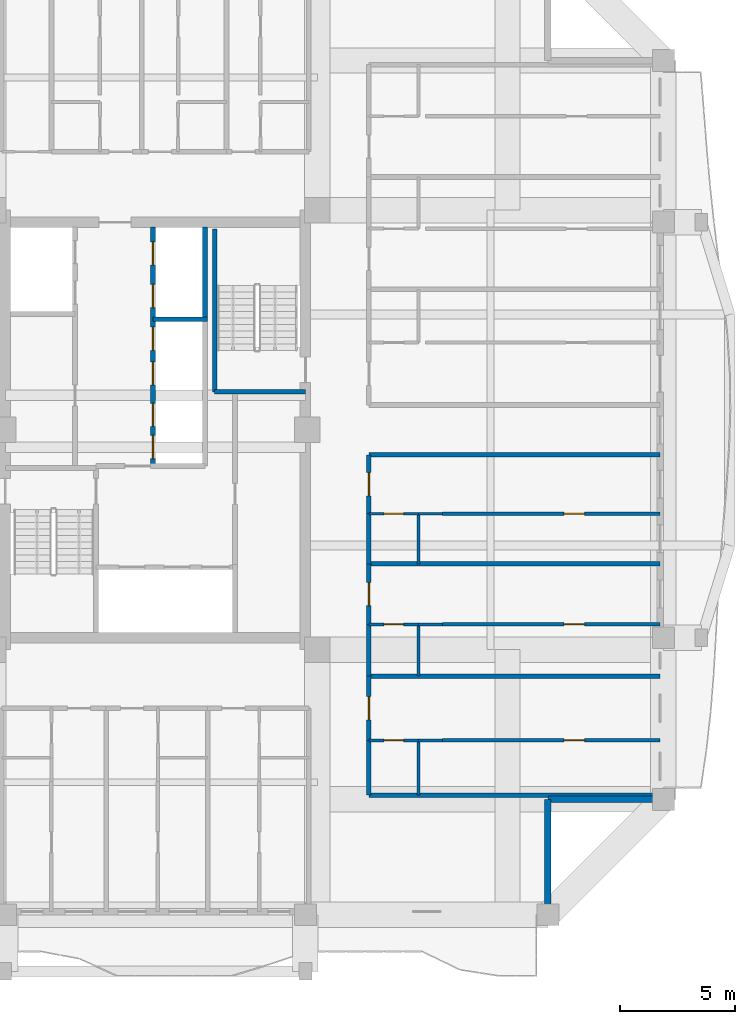
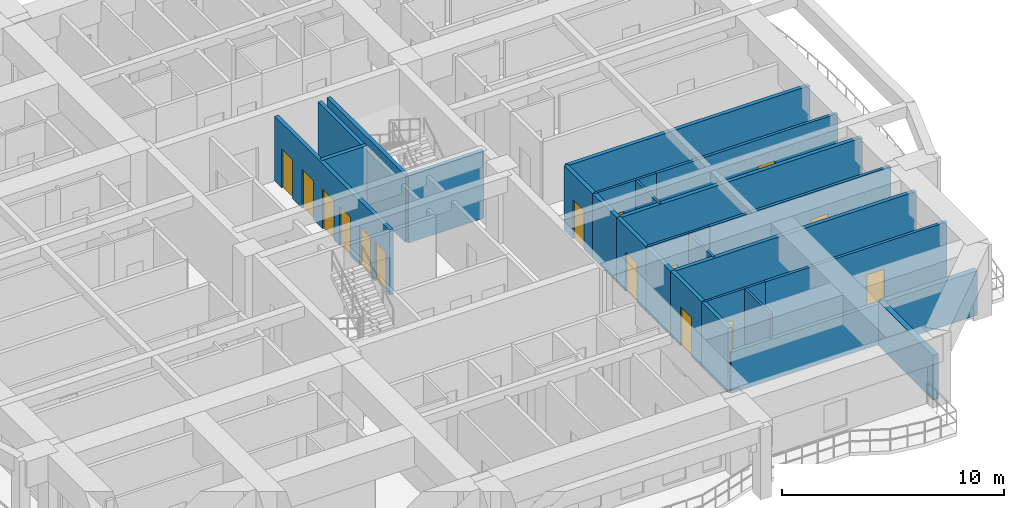
# One storey, part 5 of 15: 29 walls, 15 doors, 15 openings.
"""IFC4 building model written with IfcOpenShell, lengths in metres."""

from ifc_helpers import new_model, si_unit, direction, frame, frame_2d, origin, place, context, subcontext, project, spatial, rectangle, extrude, source, transform, mapped, material, layer, layer_set, type_object, element, fill, save


model = new_model("IFC4")

# Units and contexts
model_context = context("Model", 3, precision=1e-05, world=origin(), true_north=direction((0.0, 1.0)))
body_context = subcontext(model_context, "Body", "Model", "MODEL_VIEW")
ifc_project = project(units=[si_unit("LENGTHUNIT", "METRE"), si_unit("AREAUNIT", "SQUARE_METRE"), si_unit("VOLUMEUNIT", "CUBIC_METRE"), si_unit("PLANEANGLEUNIT", "RADIAN"), si_unit("MASSUNIT", "GRAM", prefix="KILO")], contexts=[model_context])

# Site, building, storey
site_placement = place(None, origin())
site = spatial("IfcSite", under=ifc_project, at=site_placement, CompositionType="ELEMENT")
building_placement = place(site_placement, origin())
building = spatial("IfcBuilding", under=site, at=building_placement, Name="Saelheon Loggia Tower", CompositionType="ELEMENT")
storey_placement = place(building_placement, frame((0.0, 0.0, 169.0)))
storey = spatial("IfcBuildingStorey", under=building, at=storey_placement, Name="L53", CompositionType="ELEMENT", Elevation=169.0)

# Walls
ifc_material_1 = material(Name="Architectural Precast Concrete C40/50", Category="concrete")
ifc_layer_1 = layer(ifc_material_1, 0.280029296875)
ifc_layer_set_1 = layer_set([ifc_layer_1], Name="Architectural Precast Concrete C40/50")
wall_type_1 = type_object("IfcWallType", Name="Wall_Ext_Loggia_280", PredefinedType="SOLIDWALL", material=ifc_layer_set_1)
for number, where, z_axis, x_axis, name in (
    (1, (55.0, 6.080078125, 0.0), (0.0, 0.0, 1.0), (0.0, 1.0, 0.0), "L53 Corner Notch Precast Wall SE1"),
    (2, (55.0, 11.0, 0.0), (0.0, 0.0, 1.0), (1.0, 0.0, 0.0), "L53 Corner Notch Precast Wall SE2"),
):
    element("IfcWall", number, at=place(storey_placement, frame(where, z_axis=z_axis, x_axis=x_axis)), inside=storey, type_object=wall_type_1, Name=name, PredefinedType="SOLIDWALL", context=body_context, shape_type="SweptSolid", body=[
        extrude(rectangle(XDim=4.919921875, YDim=0.280029296875, at=frame_2d((2.4599609375, 0.0))), origin(), (0.0, 0.0, 1.0), 2.43994140625),
    ])

# Wall, opening, door
ifc_material_2 = material(Name="Lightweight Autoclaved Aerated Concrete Block and Acoustic Gypsum", Category="concrete")
ifc_layer_2 = layer(ifc_material_2, 0.14990234375)
ifc_layer_set_2 = layer_set([ifc_layer_2], Name="Lightweight Autoclaved Aerated Concrete Block and Acoustic Gypsum")
wall_type_2 = type_object("IfcWallType", Name="Wall_Part_150", PredefinedType="PARTITIONING", material=ifc_layer_set_2)
wall_1_placement = place(storey_placement, frame((50.429931640625, 13.552978515625, 0.0), z_axis=(0.0, 0.0, 1.0), x_axis=(1.0, 0.0, 0.0)))
wall_1 = element("IfcWall", 3, at=wall_1_placement, inside=storey, type_object=wall_type_2, Name="L53 ES Partition U08", PredefinedType="PARTITIONING", context=body_context, shape_type="SweptSolid", body=[
    extrude(rectangle(XDim=9.420166015625, YDim=0.14990234375, at=frame_2d((4.7099609375, 0.0))), origin(), (0.0, 0.0, 1.0), 3.56005859375),
])
opening_1_placement = place(wall_1_placement, frame((5.264892578125, 0.0, 0.0)))
opening_1 = element("IfcOpeningElement", 4, at=opening_1_placement, cuts=wall_1, Name="Opening D-IN2", PredefinedType="OPENING", context=body_context, shape_type="SweptSolid", body=[
    extrude(rectangle(XDim=0.89990234375, YDim=2.10009765625, at=frame_2d((0.449951171875, 1.050048828125))), frame((0.0, 0.0869140625, 0.0), z_axis=(0.0, -1.0, 0.0), x_axis=(1.0, 0.0, 0.0)), (0.0, 0.0, 1.0), 0.173828125),
])
ifc_material_3 = material(Name="Engineered Oak Flush Door", Category="timber")
door_type_1 = type_object("IfcDoorType", Name="Door_Int_900", OperationType="NOTDEFINED", PredefinedType="DOOR", material=ifc_material_3)
shared_shape_1 = source(origin(), body_context, "Body", "SweptSolid", [
    extrude(rectangle(XDim=0.89990234375, YDim=2.10009765625, at=frame_2d((0.449951171875, 1.050048828125))), frame((0.0, 0.02490234375, 0.0), z_axis=(0.0, -1.0, 0.0), x_axis=(1.0, 0.0, 0.0)), (0.0, 0.0, 1.0), 0.050048828125),
])
door_1_placement = place(opening_1_placement, origin())
door_1 = element("IfcDoor", 5, at=door_1_placement, inside=storey, type_object=door_type_1, Name="Unit U13 Kitchen Door", OperationType="SINGLE_SWING_LEFT", OverallHeight=2.10009765625, OverallWidth=0.89990234375, PredefinedType="DOOR", context=body_context, shape_type="MappedRepresentation", body=[
    mapped(shared_shape_1, transform((0.0, 0.0, 0.0), scale=1.0)),
])
fill(opening_1, door_1)

wall_2_placement = place(storey_placement, frame((50.429931640625, 18.576416015625, 0.0), z_axis=(0.0, 0.0, 1.0), x_axis=(1.0, 0.0, 0.0)))
wall_2 = element("IfcWall", 6, at=wall_2_placement, inside=storey, type_object=wall_type_2, Name="L53 ES Partition U15", PredefinedType="PARTITIONING", context=body_context, shape_type="SweptSolid", body=[
    extrude(rectangle(XDim=9.420166015625, YDim=0.14990234375, at=frame_2d((4.7099609375, 0.0))), origin(), (0.0, 0.0, 1.0), 3.56005859375),
])
opening_2_placement = place(wall_2_placement, frame((5.264892578125, 0.0, 0.0)))
opening_2 = element("IfcOpeningElement", 7, at=opening_2_placement, cuts=wall_2, Name="Opening D-IN2", PredefinedType="OPENING", context=body_context, shape_type="SweptSolid", body=[
    extrude(rectangle(XDim=0.89990234375, YDim=2.10009765625, at=frame_2d((0.449951171875, 1.050048828125))), frame((0.0, 0.0869140625, 0.0), z_axis=(0.0, -1.0, 0.0), x_axis=(1.0, 0.0, 0.0)), (0.0, 0.0, 1.0), 0.173828125),
])
door_2_placement = place(opening_2_placement, origin())
door_2 = element("IfcDoor", 8, at=door_2_placement, inside=storey, type_object=door_type_1, Name="Unit U14 Kitchen Door", OperationType="SINGLE_SWING_RIGHT", OverallHeight=2.10009765625, OverallWidth=0.89990234375, PredefinedType="DOOR", context=body_context, shape_type="MappedRepresentation", body=[
    mapped(shared_shape_1, transform((0.0, 0.0, 0.0), scale=1.0)),
])
fill(opening_2, door_2)

wall_3_placement = place(storey_placement, frame((50.429931640625, 23.372802734375, 0.0), z_axis=(0.0, 0.0, 1.0), x_axis=(1.0, 0.0, 0.0)))
wall_3 = element("IfcWall", 9, at=wall_3_placement, inside=storey, type_object=wall_type_2, Name="L53 ES Partition U22", PredefinedType="PARTITIONING", context=body_context, shape_type="SweptSolid", body=[
    extrude(rectangle(XDim=9.420166015625, YDim=0.14990234375, at=frame_2d((4.7099609375, 0.0))), origin(), (0.0, 0.0, 1.0), 3.56005859375),
])
opening_3_placement = place(wall_3_placement, frame((5.264892578125, 0.0, 0.0)))
opening_3 = element("IfcOpeningElement", 10, at=opening_3_placement, cuts=wall_3, Name="Opening D-IN2", PredefinedType="OPENING", context=body_context, shape_type="SweptSolid", body=[
    extrude(rectangle(XDim=0.89990234375, YDim=2.10009765625, at=frame_2d((0.449951171875, 1.050048828125))), frame((0.0, 0.0869140625, 0.0), z_axis=(0.0, -1.0, 0.0), x_axis=(1.0, 0.0, 0.0)), (0.0, 0.0, 1.0), 0.173828125),
])
door_3_placement = place(opening_3_placement, origin())
door_3 = element("IfcDoor", 11, at=door_3_placement, inside=storey, type_object=door_type_1, Name="Unit U15 Kitchen Door", OperationType="SINGLE_SWING_LEFT", OverallHeight=2.10009765625, OverallWidth=0.89990234375, PredefinedType="DOOR", context=body_context, shape_type="MappedRepresentation", body=[
    mapped(shared_shape_1, transform((0.0, 0.0, 0.0), scale=1.0)),
])
fill(opening_3, door_3)

# Walls
ifc_material_4 = material(Name="Double Acoustic Stud and Fireboard Partition", Category="gypsum")
ifc_layer_3 = layer(ifc_material_4, 0.199951171875)
ifc_layer_set_3 = layer_set([ifc_layer_3], Name="Double Acoustic Stud and Fireboard Partition")
wall_type_3 = type_object("IfcWallType", Name="Wall_Party_200", PredefinedType="PARTITIONING", material=ifc_layer_set_3)
wall_4_placement = place(storey_placement, frame((47.25, 11.179931640625, 0.0), z_axis=(0.0, 0.0, 1.0), x_axis=(1.0, 0.0, 0.0)))
element("IfcWall", 12, at=wall_4_placement, inside=storey, type_object=wall_type_3, Name="L53 ES Partition U01", PredefinedType="PARTITIONING", context=body_context, shape_type="SweptSolid", body=[
    extrude(rectangle(XDim=12.60009765625, YDim=0.199951171875, at=frame_2d((6.300048828125, 0.0))), origin(), (0.0, 0.0, 1.0), 2.239990234375),
])
wall_5_placement = place(storey_placement, frame((47.25, 25.919921875, 0.0), z_axis=(0.0, 0.0, 1.0), x_axis=(1.0, 0.0, 0.0)))
element("IfcWall", 13, at=wall_5_placement, inside=storey, type_object=wall_type_3, Name="L53 ES Partition U02", PredefinedType="PARTITIONING", context=body_context, shape_type="SweptSolid", body=[
    extrude(rectangle(XDim=12.60009765625, YDim=0.199951171875, at=frame_2d((6.300048828125, 0.0))), origin(), (0.0, 0.0, 1.0), 3.56005859375),
])
wall_6_placement = place(storey_placement, frame((47.25, 11.179931640625, 0.0), z_axis=(0.0, 0.0, 1.0), x_axis=(0.0, 1.0, 0.0)))
element("IfcWall", 14, at=wall_6_placement, inside=storey, type_object=wall_type_3, Name="L53 ES Partition V03", PredefinedType="PARTITIONING", context=body_context, shape_type="SweptSolid", body=[
    extrude(rectangle(XDim=2.373046875, YDim=0.199951171875, at=frame_2d((1.1865234375, 0.0))), origin(), (0.0, 0.0, 1.0), 3.56005859375),
])

# Wall, opening, door
wall_7_placement = place(storey_placement, frame((47.25, 13.552978515625, 0.0), z_axis=(0.0, 0.0, 1.0), x_axis=(0.0, 1.0, 0.0)))
wall_7 = element("IfcWall", 15, at=wall_7_placement, inside=storey, type_object=wall_type_3, Name="L53 ES Partition V04", PredefinedType="PARTITIONING", context=body_context, shape_type="SweptSolid", body=[
    extrude(rectangle(XDim=2.7861328125, YDim=0.199951171875, at=frame_2d((1.39306640625, 0.0))), origin(), (0.0, 0.0, 1.0), 3.56005859375),
])
opening_4_placement = place(wall_7_placement, frame((0.892822265625, 0.0, 0.0)))
opening_4 = element("IfcOpeningElement", 16, at=opening_4_placement, cuts=wall_7, Name="Opening D-FD1", PredefinedType="OPENING", context=body_context, shape_type="SweptSolid", body=[
    extrude(rectangle(XDim=1.0, YDim=2.14990234375, at=frame_2d((0.5, 1.074951171875))), frame((0.0, 0.112060546875, 0.0), z_axis=(0.0, -1.0, 0.0), x_axis=(1.0, 0.0, 0.0)), (0.0, 0.0, 1.0), 0.223876953125),
])
ifc_material_5 = material(Name="Fire-Rated Engineered Timber Entrance Door", Category="wood")
door_type_2 = type_object("IfcDoorType", Name="Door_Flat_FD30S", OperationType="NOTDEFINED", PredefinedType="DOOR", material=ifc_material_5)
shared_shape_2 = source(origin(), body_context, "Body", "SweptSolid", [
    extrude(rectangle(XDim=1.0, YDim=2.14990234375, at=frame_2d((0.5, 1.074951171875))), frame((0.0, 0.02490234375, 0.0), z_axis=(0.0, -1.0, 0.0), x_axis=(1.0, 0.0, 0.0)), (0.0, 0.0, 1.0), 0.050048828125),
])
door_4_placement = place(opening_4_placement, origin())
door_4 = element("IfcDoor", 17, at=door_4_placement, inside=storey, type_object=door_type_2, Name="Unit U13 Entrance Door", OperationType="SINGLE_SWING_LEFT", OverallHeight=2.14990234375, OverallWidth=1.0, PredefinedType="DOOR", context=body_context, shape_type="MappedRepresentation", body=[
    mapped(shared_shape_2, transform((0.0, 0.0, 0.0), scale=1.0)),
])
fill(opening_4, door_4)

# Walls
wall_8_placement = place(storey_placement, frame((47.25, 16.339111328125, 0.0), z_axis=(0.0, 0.0, 1.0), x_axis=(1.0, 0.0, 0.0)))
element("IfcWall", 18, at=wall_8_placement, inside=storey, type_object=wall_type_3, Name="L53 ES Partition U09", PredefinedType="PARTITIONING", context=body_context, shape_type="SweptSolid", body=[
    extrude(rectangle(XDim=12.60009765625, YDim=0.199951171875, at=frame_2d((6.300048828125, 0.0))), origin(), (0.0, 0.0, 1.0), 3.56005859375),
])
wall_9_placement = place(storey_placement, frame((47.25, 16.339111328125, 0.0), z_axis=(0.0, 0.0, 1.0), x_axis=(0.0, 1.0, 0.0)))
element("IfcWall", 19, at=wall_9_placement, inside=storey, type_object=wall_type_3, Name="L53 ES Partition V10", PredefinedType="PARTITIONING", context=body_context, shape_type="SweptSolid", body=[
    extrude(rectangle(XDim=2.2373046875, YDim=0.199951171875, at=frame_2d((1.11865234375, 0.0))), origin(), (0.0, 0.0, 1.0), 3.56005859375),
])

# Wall, opening, door
wall_10_placement = place(storey_placement, frame((47.25, 18.576416015625, 0.0), z_axis=(0.0, 0.0, 1.0), x_axis=(0.0, 1.0, 0.0)))
wall_10 = element("IfcWall", 20, at=wall_10_placement, inside=storey, type_object=wall_type_3, Name="L53 ES Partition V11", PredefinedType="PARTITIONING", context=body_context, shape_type="SweptSolid", body=[
    extrude(rectangle(XDim=2.626708984375, YDim=0.199951171875, at=frame_2d((1.3134765625, 0.0))), origin(), (0.0, 0.0, 1.0), 3.56005859375),
])
opening_5_placement = place(wall_10_placement, frame((0.813232421875, 0.0, 0.0)))
opening_5 = element("IfcOpeningElement", 21, at=opening_5_placement, cuts=wall_10, Name="Opening D-FD1", PredefinedType="OPENING", context=body_context, shape_type="SweptSolid", body=[
    extrude(rectangle(XDim=1.0, YDim=2.14990234375, at=frame_2d((0.5, 1.074951171875))), frame((0.0, 0.112060546875, 0.0), z_axis=(0.0, -1.0, 0.0), x_axis=(1.0, 0.0, 0.0)), (0.0, 0.0, 1.0), 0.223876953125),
])
door_5_placement = place(opening_5_placement, origin())
door_5 = element("IfcDoor", 22, at=door_5_placement, inside=storey, type_object=door_type_2, Name="Unit U14 Entrance Door", OperationType="SINGLE_SWING_RIGHT", OverallHeight=2.14990234375, OverallWidth=1.0, PredefinedType="DOOR", context=body_context, shape_type="MappedRepresentation", body=[
    mapped(shared_shape_2, transform((0.0, 0.0, 0.0), scale=1.0)),
])
fill(opening_5, door_5)

# Walls
wall_11_placement = place(storey_placement, frame((47.25, 21.203125, 0.0), z_axis=(0.0, 0.0, 1.0), x_axis=(1.0, 0.0, 0.0)))
element("IfcWall", 23, at=wall_11_placement, inside=storey, type_object=wall_type_3, Name="L53 ES Partition U16", PredefinedType="PARTITIONING", context=body_context, shape_type="SweptSolid", body=[
    extrude(rectangle(XDim=12.60009765625, YDim=0.199951171875, at=frame_2d((6.300048828125, 0.0))), origin(), (0.0, 0.0, 1.0), 3.56005859375),
])
wall_12_placement = place(storey_placement, frame((47.25, 21.203125, 0.0), z_axis=(0.0, 0.0, 1.0), x_axis=(0.0, 1.0, 0.0)))
element("IfcWall", 24, at=wall_12_placement, inside=storey, type_object=wall_type_3, Name="L53 ES Partition V17", PredefinedType="PARTITIONING", context=body_context, shape_type="SweptSolid", body=[
    extrude(rectangle(XDim=2.169677734375, YDim=0.199951171875, at=frame_2d((1.0849609375, 0.0))), origin(), (0.0, 0.0, 1.0), 3.56005859375),
])

# Wall, opening, door
wall_13_placement = place(storey_placement, frame((47.25, 23.372802734375, 0.0), z_axis=(0.0, 0.0, 1.0), x_axis=(0.0, 1.0, 0.0)))
wall_13 = element("IfcWall", 25, at=wall_13_placement, inside=storey, type_object=wall_type_3, Name="L53 ES Partition V18", PredefinedType="PARTITIONING", context=body_context, shape_type="SweptSolid", body=[
    extrude(rectangle(XDim=2.547119140625, YDim=0.199951171875, at=frame_2d((1.2734375, 0.0))), origin(), (0.0, 0.0, 1.0), 3.56005859375),
])
opening_6_placement = place(wall_13_placement, frame((0.773681640625, 0.0, 0.0)))
opening_6 = element("IfcOpeningElement", 26, at=opening_6_placement, cuts=wall_13, Name="Opening D-FD1", PredefinedType="OPENING", context=body_context, shape_type="SweptSolid", body=[
    extrude(rectangle(XDim=1.0, YDim=2.14990234375, at=frame_2d((0.5, 1.074951171875))), frame((0.0, 0.112060546875, 0.0), z_axis=(0.0, -1.0, 0.0), x_axis=(1.0, 0.0, 0.0)), (0.0, 0.0, 1.0), 0.223876953125),
])
door_6_placement = place(opening_6_placement, origin())
door_6 = element("IfcDoor", 27, at=door_6_placement, inside=storey, type_object=door_type_2, Name="Unit U15 Entrance Door", OperationType="SINGLE_SWING_LEFT", OverallHeight=2.14990234375, OverallWidth=1.0, PredefinedType="DOOR", context=body_context, shape_type="MappedRepresentation", body=[
    mapped(shared_shape_2, transform((0.0, 0.0, 0.0), scale=1.0)),
])
fill(opening_6, door_6)

# Wall
ifc_material_6 = material(Name="Concrete C40/50", Category="concrete")
ifc_layer_4 = layer(ifc_material_6, 0.199951171875)
ifc_layer_set_4 = layer_set([ifc_layer_4], Name="Concrete C40/50")
wall_type_4 = type_object("IfcWallType", Name="Wall_Shaft_200", PredefinedType="PARTITIONING", material=ifc_layer_set_4)
wall_14_placement = place(storey_placement, frame((40.14990234375, 31.800048828125, 0.0), z_axis=(0.0, 0.0, 1.0), x_axis=(0.0, 1.0, 0.0)))
element("IfcWall", 28, at=wall_14_placement, inside=storey, type_object=wall_type_4, Name="L53 East High-Rise Hoistway East Wall", PredefinedType="PARTITIONING", context=body_context, shape_type="SweptSolid", body=[
    extrude(rectangle(XDim=3.97998046875, YDim=0.199951171875, at=frame_2d((1.989990234375, 0.0))), origin(), (0.0, 0.0, 1.0), 3.56005859375),
])

# Wall, openings, doors
wall_15_placement = place(storey_placement, frame((37.89990234375, 25.43994140625, 0.0), z_axis=(0.0, 0.0, 1.0), x_axis=(0.0, 1.0, 0.0)))
wall_15 = element("IfcWall", 29, at=wall_15_placement, inside=storey, type_object=wall_type_4, Name="L53 East Passenger Lift Bank Wall", PredefinedType="PARTITIONING", context=body_context, shape_type="SweptSolid", body=[
    extrude(rectangle(XDim=10.340087890625, YDim=0.199951171875, at=frame_2d((5.169921875, 0.0))), origin(), (0.0, 0.0, 1.0), 3.56005859375),
])
opening_7_placement = place(wall_15_placement, frame((0.320068359375, 0.0, 0.0)))
opening_7 = element("IfcOpeningElement", 30, at=opening_7_placement, cuts=wall_15, Name="Opening LD1", PredefinedType="OPENING", context=body_context, shape_type="SweptSolid", body=[
    extrude(rectangle(XDim=1.0, YDim=2.14990234375, at=frame_2d((0.5, 1.074951171875))), frame((0.0, 0.112060546875, 0.0), z_axis=(0.0, -1.0, 0.0), x_axis=(1.0, 0.0, 0.0)), (0.0, 0.0, 1.0), 0.223876953125),
])
opening_8_placement = place(wall_15_placement, frame((1.7099609375, 0.0, 0.0)))
opening_8 = element("IfcOpeningElement", 31, at=opening_8_placement, cuts=wall_15, Name="Opening LD1", PredefinedType="OPENING", context=body_context, shape_type="SweptSolid", body=[
    extrude(rectangle(XDim=1.0, YDim=2.14990234375, at=frame_2d((0.5, 1.074951171875))), frame((0.0, 0.112060546875, 0.0), z_axis=(0.0, -1.0, 0.0), x_axis=(1.0, 0.0, 0.0)), (0.0, 0.0, 1.0), 0.223876953125),
])
opening_9_placement = place(wall_15_placement, frame((3.510009765625, 0.0, 0.0)))
opening_9 = element("IfcOpeningElement", 32, at=opening_9_placement, cuts=wall_15, Name="Opening LD1", PredefinedType="OPENING", context=body_context, shape_type="SweptSolid", body=[
    extrude(rectangle(XDim=1.0, YDim=2.14990234375, at=frame_2d((0.5, 1.074951171875))), frame((0.0, 0.112060546875, 0.0), z_axis=(0.0, -1.0, 0.0), x_axis=(1.0, 0.0, 0.0)), (0.0, 0.0, 1.0), 0.223876953125),
])
opening_10_placement = place(wall_15_placement, frame((5.010009765625, 0.0, 0.0)))
opening_10 = element("IfcOpeningElement", 33, at=opening_10_placement, cuts=wall_15, Name="Opening LD1", PredefinedType="OPENING", context=body_context, shape_type="SweptSolid", body=[
    extrude(rectangle(XDim=1.0, YDim=2.14990234375, at=frame_2d((0.5, 1.074951171875))), frame((0.0, 0.112060546875, 0.0), z_axis=(0.0, -1.0, 0.0), x_axis=(1.0, 0.0, 0.0)), (0.0, 0.0, 1.0), 0.223876953125),
])
opening_11_placement = place(wall_15_placement, frame((6.860107421875, 0.0, 0.0)))
opening_11 = element("IfcOpeningElement", 34, at=opening_11_placement, cuts=wall_15, Name="Opening LD1", PredefinedType="OPENING", context=body_context, shape_type="SweptSolid", body=[
    extrude(rectangle(XDim=1.0, YDim=2.14990234375, at=frame_2d((0.5, 1.074951171875))), frame((0.0, 0.112060546875, 0.0), z_axis=(0.0, -1.0, 0.0), x_axis=(1.0, 0.0, 0.0)), (0.0, 0.0, 1.0), 0.223876953125),
])
opening_12_placement = place(wall_15_placement, frame((8.7099609375, 0.0, 0.0)))
opening_12 = element("IfcOpeningElement", 35, at=opening_12_placement, cuts=wall_15, Name="Opening LD1", PredefinedType="OPENING", context=body_context, shape_type="SweptSolid", body=[
    extrude(rectangle(XDim=1.0, YDim=2.14990234375, at=frame_2d((0.5, 1.074951171875))), frame((0.0, 0.112060546875, 0.0), z_axis=(0.0, -1.0, 0.0), x_axis=(1.0, 0.0, 0.0)), (0.0, 0.0, 1.0), 0.223876953125),
])
ifc_material_7 = material(Name="Brushed Stainless Steel 304 Landing Door", Category="steel")
door_type_3 = type_object("IfcDoorType", Name="Door_Lift_LD1", OperationType="DOUBLE_DOOR_SLIDING", PredefinedType="DOOR", material=ifc_material_7)
door_7_placement = place(opening_7_placement, origin())
door_7 = element("IfcDoor", 36, at=door_7_placement, inside=storey, type_object=door_type_3, Name="L53 PM1 Landing Door", OperationType="DOUBLE_DOOR_SLIDING", OverallHeight=2.14990234375, OverallWidth=1.0, PredefinedType="DOOR", context=body_context, shape_type="MappedRepresentation", body=[
    mapped(shared_shape_2, transform((0.0, 0.0, 0.0), scale=1.0)),
])
fill(opening_7, door_7)
door_8_placement = place(opening_8_placement, origin())
door_8 = element("IfcDoor", 37, at=door_8_placement, inside=storey, type_object=door_type_3, Name="L53 PM2 Landing Door", OperationType="DOUBLE_DOOR_SLIDING", OverallHeight=2.14990234375, OverallWidth=1.0, PredefinedType="DOOR", context=body_context, shape_type="MappedRepresentation", body=[
    mapped(shared_shape_2, transform((0.0, 0.0, 0.0), scale=1.0)),
])
fill(opening_8, door_8)
door_9_placement = place(opening_9_placement, origin())
door_9 = element("IfcDoor", 38, at=door_9_placement, inside=storey, type_object=door_type_3, Name="L53 PM3 Landing Door", OperationType="DOUBLE_DOOR_SLIDING", OverallHeight=2.14990234375, OverallWidth=1.0, PredefinedType="DOOR", context=body_context, shape_type="MappedRepresentation", body=[
    mapped(shared_shape_2, transform((0.0, 0.0, 0.0), scale=1.0)),
])
fill(opening_9, door_9)
door_10_placement = place(opening_10_placement, origin())
door_10 = element("IfcDoor", 39, at=door_10_placement, inside=storey, type_object=door_type_3, Name="L53 PM4 Landing Door", OperationType="DOUBLE_DOOR_SLIDING", OverallHeight=2.14990234375, OverallWidth=1.0, PredefinedType="DOOR", context=body_context, shape_type="MappedRepresentation", body=[
    mapped(shared_shape_2, transform((0.0, 0.0, 0.0), scale=1.0)),
])
fill(opening_10, door_10)
door_11_placement = place(opening_11_placement, origin())
door_11 = element("IfcDoor", 40, at=door_11_placement, inside=storey, type_object=door_type_3, Name="L53 PH3 Landing Door", OperationType="DOUBLE_DOOR_SLIDING", OverallHeight=2.14990234375, OverallWidth=1.0, PredefinedType="DOOR", context=body_context, shape_type="MappedRepresentation", body=[
    mapped(shared_shape_2, transform((0.0, 0.0, 0.0), scale=1.0)),
])
fill(opening_11, door_11)
door_12_placement = place(opening_12_placement, origin())
door_12 = element("IfcDoor", 41, at=door_12_placement, inside=storey, type_object=door_type_3, Name="L53 PH4 Landing Door", OperationType="DOUBLE_DOOR_SLIDING", OverallHeight=2.14990234375, OverallWidth=1.0, PredefinedType="DOOR", context=body_context, shape_type="MappedRepresentation", body=[
    mapped(shared_shape_2, transform((0.0, 0.0, 0.0), scale=1.0)),
])
fill(opening_12, door_12)

# Walls
wall_16_placement = place(storey_placement, frame((37.89990234375, 31.800048828125, 0.0), z_axis=(0.0, 0.0, 1.0), x_axis=(1.0, 0.0, 0.0)))
element("IfcWall", 42, at=wall_16_placement, inside=storey, type_object=wall_type_4, Name="L53 East High-Rise Shaft Divider", PredefinedType="PARTITIONING", context=body_context, shape_type="SweptSolid", body=[
    extrude(rectangle(XDim=2.35009765625, YDim=0.199951171875, at=frame_2d((1.175048828125, 0.0))), origin(), (0.0, 0.0, 1.0), 3.56005859375),
])
ifc_material_8 = material(Name="Concrete C45/55", Category="concrete")
ifc_layer_5 = layer(ifc_material_8, 0.199951171875)
ifc_layer_set_5 = layer_set([ifc_layer_5], Name="Concrete C45/55")
wall_type_5 = type_object("IfcWallType", Name="Wall_StairShaft_RC200", PredefinedType="SOLIDWALL", material=ifc_layer_set_5)
wall_17_placement = place(storey_placement, frame((40.570068359375, 28.64990234375, 0.0), z_axis=(0.0, 0.0, 1.0), x_axis=(0.0, 1.0, 0.0)))
element("IfcWall", 43, at=wall_17_placement, inside=storey, type_object=wall_type_5, Name="L53 Stair ST2 Shaft Wall", PredefinedType="SOLIDWALL", context=body_context, shape_type="SweptSolid", body=[
    extrude(rectangle(XDim=7.050048828125, YDim=0.199951171875, at=frame_2d((3.52490234375, 0.0))), origin(), (0.0, 0.0, 1.0), 3.68994140625),
])
wall_18_placement = place(storey_placement, frame((40.570068359375, 28.64990234375, 0.0), z_axis=(0.0, 0.0, 1.0), x_axis=(1.0, 0.0, 0.0)))
element("IfcWall", 44, at=wall_18_placement, inside=storey, type_object=wall_type_5, Name="L53 Stair ST2 South Wall", PredefinedType="SOLIDWALL", context=body_context, shape_type="SweptSolid", body=[
    extrude(rectangle(XDim=3.929931640625, YDim=0.199951171875, at=frame_2d((1.96484375, 0.0))), origin(), (0.0, 0.0, 1.0), 3.68994140625),
])

# Wall, opening, door
ifc_material_9 = material(Name="Moisture-Resistant Cement Board Partition", Category="gypsum")
ifc_layer_6 = layer(ifc_material_9, 0.1201171875)
ifc_layer_set_6 = layer_set([ifc_layer_6], Name="Moisture-Resistant Cement Board Partition")
wall_type_6 = type_object("IfcWallType", Name="Wall_WetPart_120", PredefinedType="PARTITIONING", material=ifc_layer_set_6)
wall_19_placement = place(storey_placement, frame((47.25, 13.552978515625, 0.0), z_axis=(0.0, 0.0, 1.0), x_axis=(1.0, 0.0, 0.0)))
wall_19 = element("IfcWall", 45, at=wall_19_placement, inside=storey, type_object=wall_type_6, Name="L53 ES Partition U05", PredefinedType="PARTITIONING", context=body_context, shape_type="SweptSolid", body=[
    extrude(rectangle(XDim=2.14990234375, YDim=0.1201171875, at=frame_2d((1.074951171875, 0.0))), origin(), (0.0, 0.0, 1.0), 3.56005859375),
])
opening_13_placement = place(wall_19_placement, frame((0.64990234375, 0.0, 0.0)))
opening_13 = element("IfcOpeningElement", 46, at=opening_13_placement, cuts=wall_19, Name="Opening D-BT1", PredefinedType="OPENING", context=body_context, shape_type="SweptSolid", body=[
    extrude(rectangle(XDim=0.85009765625, YDim=2.050048828125, at=frame_2d((0.425048828125, 1.02490234375))), frame((0.0, 0.072021484375, 0.0), z_axis=(0.0, -1.0, 0.0), x_axis=(1.0, 0.0, 0.0)), (0.0, 0.0, 1.0), 0.14404296875),
])
ifc_material_10 = material(Name="Moisture-Resistant Laminate Timber Door", Category="wood")
door_type_4 = type_object("IfcDoorType", Name="Door_Bath_850", OperationType="NOTDEFINED", PredefinedType="DOOR", material=ifc_material_10)
shared_shape_3 = source(origin(), body_context, "Body", "SweptSolid", [
    extrude(rectangle(XDim=0.85009765625, YDim=2.050048828125, at=frame_2d((0.425048828125, 1.02490234375))), frame((0.0, 0.02490234375, 0.0), z_axis=(0.0, -1.0, 0.0), x_axis=(1.0, 0.0, 0.0)), (0.0, 0.0, 1.0), 0.050048828125),
])
door_13_placement = place(opening_13_placement, origin())
door_13 = element("IfcDoor", 47, at=door_13_placement, inside=storey, type_object=door_type_4, Name="Unit U13 Bathroom Door", OperationType="SINGLE_SWING_RIGHT", OverallHeight=2.050048828125, OverallWidth=0.85009765625, PredefinedType="DOOR", context=body_context, shape_type="MappedRepresentation", body=[
    mapped(shared_shape_3, transform((0.0, 0.0, 0.0), scale=1.0)),
])
fill(opening_13, door_13)

# Walls
wall_20_placement = place(storey_placement, frame((49.39990234375, 13.552978515625, 0.0), z_axis=(0.0, 0.0, 1.0), x_axis=(1.0, 0.0, 0.0)))
element("IfcWall", 48, at=wall_20_placement, inside=storey, type_object=wall_type_6, Name="L53 ES Partition U06", PredefinedType="PARTITIONING", context=body_context, shape_type="SweptSolid", body=[
    extrude(rectangle(XDim=1.030029296875, YDim=0.1201171875, at=frame_2d((0.51513671875, 0.0))), origin(), (0.0, 0.0, 1.0), 3.56005859375),
])
wall_21_placement = place(storey_placement, frame((49.39990234375, 11.179931640625, 0.0), z_axis=(0.0, 0.0, 1.0), x_axis=(0.0, 1.0, 0.0)))
element("IfcWall", 49, at=wall_21_placement, inside=storey, type_object=wall_type_6, Name="L53 ES Partition V07", PredefinedType="PARTITIONING", context=body_context, shape_type="SweptSolid", body=[
    extrude(rectangle(XDim=2.373046875, YDim=0.1201171875, at=frame_2d((1.1865234375, 0.0))), origin(), (0.0, 0.0, 1.0), 3.56005859375),
])

# Wall, opening, door
wall_22_placement = place(storey_placement, frame((47.25, 18.576416015625, 0.0), z_axis=(0.0, 0.0, 1.0), x_axis=(1.0, 0.0, 0.0)))
wall_22 = element("IfcWall", 50, at=wall_22_placement, inside=storey, type_object=wall_type_6, Name="L53 ES Partition U12", PredefinedType="PARTITIONING", context=body_context, shape_type="SweptSolid", body=[
    extrude(rectangle(XDim=2.14990234375, YDim=0.1201171875, at=frame_2d((1.074951171875, 0.0))), origin(), (0.0, 0.0, 1.0), 3.56005859375),
])
opening_14_placement = place(wall_22_placement, frame((0.64990234375, 0.0, 0.0)))
opening_14 = element("IfcOpeningElement", 51, at=opening_14_placement, cuts=wall_22, Name="Opening D-BT1", PredefinedType="OPENING", context=body_context, shape_type="SweptSolid", body=[
    extrude(rectangle(XDim=0.85009765625, YDim=2.050048828125, at=frame_2d((0.425048828125, 1.02490234375))), frame((0.0, 0.072021484375, 0.0), z_axis=(0.0, -1.0, 0.0), x_axis=(1.0, 0.0, 0.0)), (0.0, 0.0, 1.0), 0.14404296875),
])
door_14_placement = place(opening_14_placement, origin())
door_14 = element("IfcDoor", 52, at=door_14_placement, inside=storey, type_object=door_type_4, Name="Unit U14 Bathroom Door", OperationType="SINGLE_SWING_LEFT", OverallHeight=2.050048828125, OverallWidth=0.85009765625, PredefinedType="DOOR", context=body_context, shape_type="MappedRepresentation", body=[
    mapped(shared_shape_3, transform((0.0, 0.0, 0.0), scale=1.0)),
])
fill(opening_14, door_14)

# Walls
wall_23_placement = place(storey_placement, frame((49.39990234375, 18.576416015625, 0.0), z_axis=(0.0, 0.0, 1.0), x_axis=(1.0, 0.0, 0.0)))
element("IfcWall", 53, at=wall_23_placement, inside=storey, type_object=wall_type_6, Name="L53 ES Partition U13", PredefinedType="PARTITIONING", context=body_context, shape_type="SweptSolid", body=[
    extrude(rectangle(XDim=1.030029296875, YDim=0.1201171875, at=frame_2d((0.51513671875, 0.0))), origin(), (0.0, 0.0, 1.0), 3.56005859375),
])
wall_24_placement = place(storey_placement, frame((49.39990234375, 16.339111328125, 0.0), z_axis=(0.0, 0.0, 1.0), x_axis=(0.0, 1.0, 0.0)))
element("IfcWall", 54, at=wall_24_placement, inside=storey, type_object=wall_type_6, Name="L53 ES Partition V14", PredefinedType="PARTITIONING", context=body_context, shape_type="SweptSolid", body=[
    extrude(rectangle(XDim=2.2373046875, YDim=0.1201171875, at=frame_2d((1.11865234375, 0.0))), origin(), (0.0, 0.0, 1.0), 3.56005859375),
])

# Wall, opening, door
wall_25_placement = place(storey_placement, frame((47.25, 23.372802734375, 0.0), z_axis=(0.0, 0.0, 1.0), x_axis=(1.0, 0.0, 0.0)))
wall_25 = element("IfcWall", 55, at=wall_25_placement, inside=storey, type_object=wall_type_6, Name="L53 ES Partition U19", PredefinedType="PARTITIONING", context=body_context, shape_type="SweptSolid", body=[
    extrude(rectangle(XDim=2.14990234375, YDim=0.1201171875, at=frame_2d((1.074951171875, 0.0))), origin(), (0.0, 0.0, 1.0), 3.56005859375),
])
opening_15_placement = place(wall_25_placement, frame((0.64990234375, 0.0, 0.0)))
opening_15 = element("IfcOpeningElement", 56, at=opening_15_placement, cuts=wall_25, Name="Opening D-BT1", PredefinedType="OPENING", context=body_context, shape_type="SweptSolid", body=[
    extrude(rectangle(XDim=0.85009765625, YDim=2.050048828125, at=frame_2d((0.425048828125, 1.02490234375))), frame((0.0, 0.072021484375, 0.0), z_axis=(0.0, -1.0, 0.0), x_axis=(1.0, 0.0, 0.0)), (0.0, 0.0, 1.0), 0.14404296875),
])
door_15_placement = place(opening_15_placement, origin())
door_15 = element("IfcDoor", 57, at=door_15_placement, inside=storey, type_object=door_type_4, Name="Unit U15 Bathroom Door", OperationType="SINGLE_SWING_RIGHT", OverallHeight=2.050048828125, OverallWidth=0.85009765625, PredefinedType="DOOR", context=body_context, shape_type="MappedRepresentation", body=[
    mapped(shared_shape_3, transform((0.0, 0.0, 0.0), scale=1.0)),
])
fill(opening_15, door_15)

# Walls
wall_26_placement = place(storey_placement, frame((49.39990234375, 23.372802734375, 0.0), z_axis=(0.0, 0.0, 1.0), x_axis=(1.0, 0.0, 0.0)))
element("IfcWall", 58, at=wall_26_placement, inside=storey, type_object=wall_type_6, Name="L53 ES Partition U20", PredefinedType="PARTITIONING", context=body_context, shape_type="SweptSolid", body=[
    extrude(rectangle(XDim=1.030029296875, YDim=0.1201171875, at=frame_2d((0.51513671875, 0.0))), origin(), (0.0, 0.0, 1.0), 3.56005859375),
])
wall_27_placement = place(storey_placement, frame((49.39990234375, 21.203125, 0.0), z_axis=(0.0, 0.0, 1.0), x_axis=(0.0, 1.0, 0.0)))
element("IfcWall", 59, at=wall_27_placement, inside=storey, type_object=wall_type_6, Name="L53 ES Partition V21", PredefinedType="PARTITIONING", context=body_context, shape_type="SweptSolid", body=[
    extrude(rectangle(XDim=2.169677734375, YDim=0.1201171875, at=frame_2d((1.0849609375, 0.0))), origin(), (0.0, 0.0, 1.0), 3.56005859375),
])

save(model, "model.ifc")
